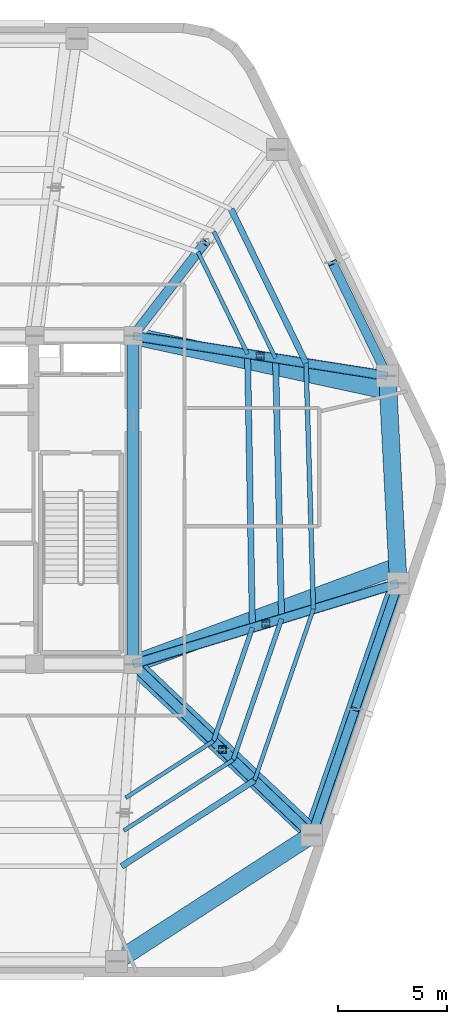
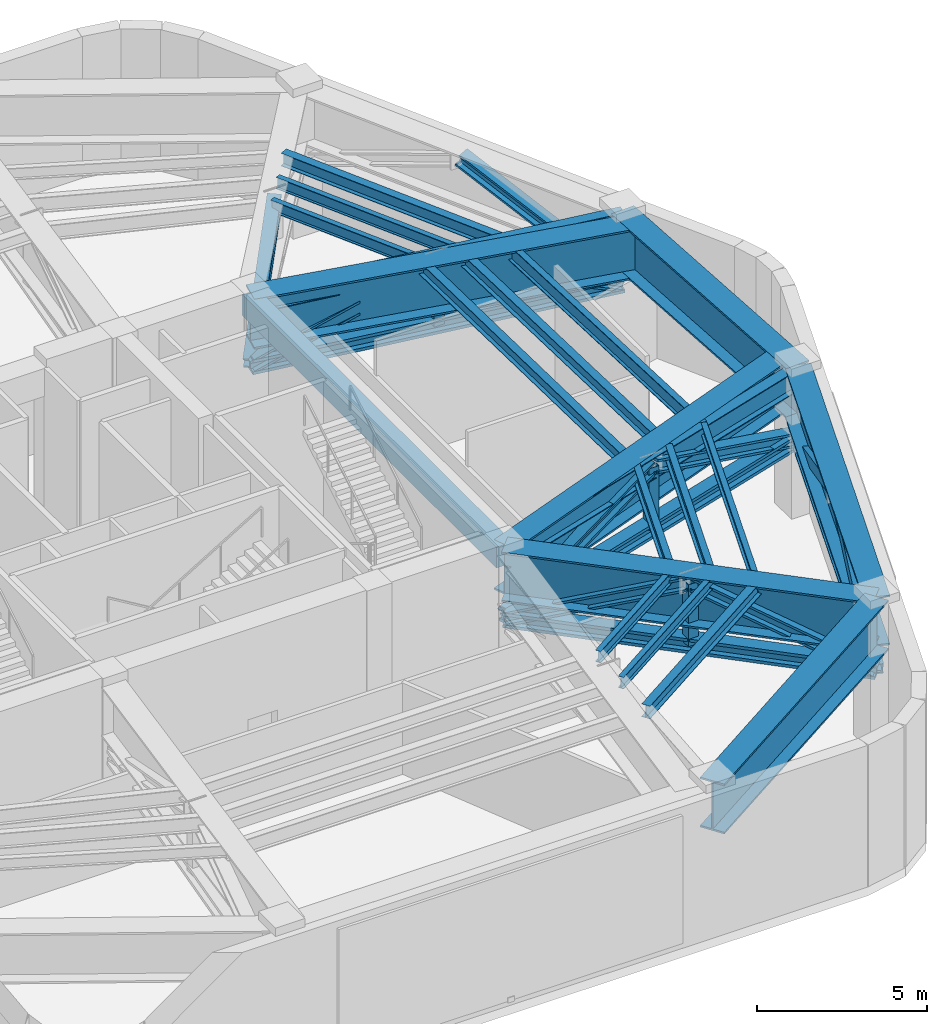
# One storey, part 3 of 10: 21 beams, 17 members.
"""IFC4 building model written with IfcOpenShell, lengths in metres."""

from ifc_helpers import new_model, si_unit, direction, frame, origin, origin_2d, place, context, subcontext, project, spatial, rectangle, hollow_rectangle, i_section, extrude, material, material_profile, profile_set, type_object, element, save


model = new_model("IFC4")

# Units and contexts
model_context = context("Model", 3, precision=1e-05, world=origin(), true_north=direction((0.0, 1.0)))
body_context = subcontext(model_context, "Body", "Model", "MODEL_VIEW")
ifc_project = project(units=[si_unit("LENGTHUNIT", "METRE"), si_unit("AREAUNIT", "SQUARE_METRE"), si_unit("VOLUMEUNIT", "CUBIC_METRE"), si_unit("PLANEANGLEUNIT", "RADIAN"), si_unit("MASSUNIT", "GRAM", prefix="KILO")], contexts=[model_context])

# Site, building, storey
site_placement = place(None, origin())
site = spatial("IfcSite", under=ifc_project, at=site_placement, CompositionType="ELEMENT")
building_placement = place(site_placement, origin())
building = spatial("IfcBuilding", under=site, at=building_placement, Name="Kilnhurst Terrace Hotel", CompositionType="ELEMENT")
storey_placement = place(building_placement, frame((0.0, 0.0, 255.89990234375)))
storey = spatial("IfcBuildingStorey", under=building, at=storey_placement, Name="L64", CompositionType="ELEMENT", Elevation=255.89990234375)

# Beams
ifc_material_1 = material(Name="Concrete C50/60", Category="concrete")
ifc_material_profile_1 = material_profile(ifc_material_1, rectangle(XDim=0.550048828125, YDim=0.75, at=origin_2d()), Name="RC550X750")
ifc_profile_set_1 = profile_set([ifc_material_profile_1], Name="Concrete C50/60")
beam_type_1 = type_object("IfcBeamType", Name="BM-SPN-550X750", PredefinedType="SPANDREL", material=ifc_profile_set_1)
beam_1_placement = place(storey_placement, frame((9.0, -7.5, 4.72509765625), z_axis=(0.0, 1.0, 0.0), x_axis=(-1.0, 0.0, 0.0)))
element("IfcBeam", 1, at=beam_1_placement, inside=storey, type_object=beam_type_1, Name="L64 Core Tie Beam CC-SE to CC-NE", PredefinedType="SPANDREL", context=body_context, shape_type="SweptSolid", body=[
    extrude(rectangle(XDim=0.550048828125, YDim=0.75, at=origin_2d()), origin(), (0.0, 0.0, 1.0), 15.0),
])
ifc_material_2 = material(Name="Steel ASTM A992 Grade 50", Category="steel")
ifc_material_profile_2 = material_profile(ifc_material_2, i_section(OverallWidth=0.354736328125, OverallDepth=0.695556640625, WebThickness=0.015380859375, FlangeThickness=0.025146484375, at=origin_2d()), Name="W27X146")
ifc_profile_set_2 = profile_set([ifc_material_profile_2], Name="Steel ASTM A992 Grade 50")
beam_type_2 = type_object("IfcBeamType", Name="BM-STL-W27X146", PredefinedType="BEAM", material=ifc_profile_set_2)
beam_2_placement = place(storey_placement, frame((9.0, 7.5, 4.752197265625), z_axis=(0.987828160163, -0.155549111179, 0.0), x_axis=(0.155549111179, 0.987828160163, 0.0)))
element("IfcBeam", 2, at=beam_2_placement, inside=storey, type_object=beam_type_2, Name="L64 Radial Floor Beam 5", PredefinedType="BEAM", context=body_context, shape_type="SweptSolid", body=[
    extrude(i_section(OverallWidth=0.354736328125, OverallDepth=0.695556640625, WebThickness=0.015380859375, FlangeThickness=0.025146484375, at=origin_2d()), origin(), (0.0, 0.0, 1.0), 11.765380859375),
])
ifc_material_profile_3 = material_profile(ifc_material_2, i_section(OverallWidth=0.380615234375, OverallDepth=0.773193359375, WebThickness=0.0166015625, FlangeThickness=0.027099609375, at=origin_2d()), Name="W30X173")
ifc_profile_set_3 = profile_set([ifc_material_profile_3], Name="Steel ASTM A992 Grade 50")
beam_type_3 = type_object("IfcBeamType", Name="BM-STL-W30X173", PredefinedType="BEAM", material=ifc_profile_set_3)
beam_3_placement = place(storey_placement, frame((9.0, -7.5, 4.713134765625), z_axis=(0.956562713724, 0.291526627793, 0.0), x_axis=(-0.291526627793, 0.956562713724, 0.0)))
element("IfcBeam", 3, at=beam_3_placement, inside=storey, type_object=beam_type_3, Name="L64 Radial Floor Beam 4", PredefinedType="BEAM", context=body_context, shape_type="SweptSolid", body=[
    extrude(i_section(OverallWidth=0.380615234375, OverallDepth=0.773193359375, WebThickness=0.0166015625, FlangeThickness=0.027099609375, at=origin_2d()), origin(), (0.0, 0.0, 1.0), 12.668212890625),
])
ifc_material_profile_4 = material_profile(ifc_material_2, i_section(OverallWidth=0.180908203125, OverallDepth=0.417236328125, WebThickness=0.010986328125, FlangeThickness=0.018310546875, at=origin_2d()), Name="W16X57")
ifc_profile_set_4 = profile_set([ifc_material_profile_4], Name="Steel ASTM A992 Grade 50")
beam_type_4 = type_object("IfcBeamType", Name="JST-STL-W16X57", PredefinedType="JOIST", material=ifc_profile_set_4)
beam_4_placement = place(storey_placement, frame((14.552978515625, -12.806640625, 4.89111328125), z_axis=(0.325064911916, 0.945691706129, 0.0), x_axis=(-0.945691706129, 0.325064911916, 0.0)))
element("IfcBeam", 4, at=beam_4_placement, inside=storey, type_object=beam_type_4, Name="L64 Secondary Floor Steel Joist OUT.3", PredefinedType="JOIST", context=body_context, shape_type="SweptSolid", body=[
    extrude(i_section(OverallWidth=0.180908203125, OverallDepth=0.417236328125, WebThickness=0.010986328125, FlangeThickness=0.018310546875, at=origin_2d()), origin(), (0.0, 0.0, 1.0), 8.266845703125),
])
beam_5_placement = place(storey_placement, frame((8.65625, -13.611083984375, 4.89111328125), z_axis=(0.839653632344, 0.543122249306, 0.0), x_axis=(-0.543122249306, 0.839653632344, 0.0)))
element("IfcBeam", 5, at=beam_5_placement, inside=storey, type_object=beam_type_4, Name="L64 Secondary Floor Steel Joist IN.2", PredefinedType="JOIST", context=body_context, shape_type="SweptSolid", body=[
    extrude(i_section(OverallWidth=0.180908203125, OverallDepth=0.417236328125, WebThickness=0.010986328125, FlangeThickness=0.018310546875, at=origin_2d()), origin(), (0.0, 0.0, 1.0), 4.785888671875),
])
beam_6_placement = place(storey_placement, frame((14.22998046875, 6.676513671875, 4.89111328125), z_axis=(-0.437718230281, 0.899112201496, 0.0), x_axis=(-0.899112201496, -0.437718230281, 0.0)))
element("IfcBeam", 6, at=beam_6_placement, inside=storey, type_object=beam_type_4, Name="L64 Secondary Floor Steel Joist IN.5", PredefinedType="JOIST", context=body_context, shape_type="SweptSolid", body=[
    extrude(i_section(OverallWidth=0.180908203125, OverallDepth=0.417236328125, WebThickness=0.010986328125, FlangeThickness=0.018310546875, at=origin_2d()), origin(), (0.0, 0.0, 1.0), 5.176513671875),
])
beam_7_placement = place(storey_placement, frame((8.572265625, -15.104736328125, 4.89111328125), z_axis=(0.83965813096, 0.543115294493, 0.0), x_axis=(-0.543115294493, 0.83965813096, 0.0)))
element("IfcBeam", 7, at=beam_7_placement, inside=storey, type_object=beam_type_4, Name="L64 Secondary Floor Steel Joist MID.2", PredefinedType="JOIST", context=body_context, shape_type="SweptSolid", body=[
    extrude(i_section(OverallWidth=0.180908203125, OverallDepth=0.417236328125, WebThickness=0.010986328125, FlangeThickness=0.018310546875, at=origin_2d()), origin(), (0.0, 0.0, 1.0), 5.95556640625),
])
beam_8_placement = place(storey_placement, frame((15.50830078125, 6.47509765625, 4.89111328125), z_axis=(-0.437683535338, 0.89912909134, 0.0), x_axis=(-0.89912909134, -0.437683535338, 0.0)))
element("IfcBeam", 8, at=beam_8_placement, inside=storey, type_object=beam_type_4, Name="L64 Secondary Floor Steel Joist MID.5", PredefinedType="JOIST", context=body_context, shape_type="SweptSolid", body=[
    extrude(i_section(OverallWidth=0.180908203125, OverallDepth=0.417236328125, WebThickness=0.010986328125, FlangeThickness=0.018310546875, at=origin_2d()), origin(), (0.0, 0.0, 1.0), 6.442138671875),
])
ifc_material_profile_5 = material_profile(ifc_material_2, i_section(OverallWidth=0.279296875, OverallDepth=0.462890625, WebThickness=0.0107421875, FlangeThickness=0.017333984375, at=origin_2d()), Name="W18X76")
ifc_profile_set_5 = profile_set([ifc_material_profile_5], Name="Steel ASTM A992 Grade 50")
beam_type_5 = type_object("IfcBeamType", Name="JST-STL-W18X76", PredefinedType="JOIST", material=ifc_profile_set_5)
beam_9_placement = place(storey_placement, frame((8.48046875, -16.734375, 4.8681640625), z_axis=(0.839667054453, 0.543101498494, 0.0), x_axis=(-0.543101498494, 0.839667054453, 0.0)))
element("IfcBeam", 9, at=beam_9_placement, inside=storey, type_object=beam_type_5, Name="L64 Secondary Floor Steel Joist OUT.2", PredefinedType="JOIST", context=body_context, shape_type="SweptSolid", body=[
    extrude(i_section(OverallWidth=0.279296875, OverallDepth=0.462890625, WebThickness=0.0107421875, FlangeThickness=0.017333984375, at=origin_2d()), origin(), (0.0, 0.0, 1.0), 7.23193359375),
])
beam_10_placement = place(storey_placement, frame((16.903076171875, 6.255615234375, 4.8681640625), z_axis=(-0.437700347277, 0.899120907328, 0.0), x_axis=(-0.899120907328, -0.437700347277, 0.0)))
element("IfcBeam", 10, at=beam_10_placement, inside=storey, type_object=beam_type_5, Name="L64 Secondary Floor Steel Joist OUT.5", PredefinedType="JOIST", context=body_context, shape_type="SweptSolid", body=[
    extrude(i_section(OverallWidth=0.279296875, OverallDepth=0.462890625, WebThickness=0.0107421875, FlangeThickness=0.017333984375, at=origin_2d()), origin(), (0.0, 0.0, 1.0), 7.822265625),
])
beam_11_placement = place(storey_placement, frame((14.453125, -5.838134765625, 4.8681640625), z_axis=(-0.017827833387, 0.999841071549, 0.0), x_axis=(-0.999841071549, -0.017827833387, 0.0)))
element("IfcBeam", 11, at=beam_11_placement, inside=storey, type_object=beam_type_5, Name="L64 Secondary Floor Steel Joist IN.4", PredefinedType="JOIST", context=body_context, shape_type="SweptSolid", body=[
    extrude(i_section(OverallWidth=0.279296875, OverallDepth=0.462890625, WebThickness=0.0107421875, FlangeThickness=0.017333984375, at=origin_2d()), origin(), (0.0, 0.0, 1.0), 12.5166015625),
])
beam_12_placement = place(storey_placement, frame((15.7861328125, -5.431884765625, 4.8681640625), z_axis=(-0.023327188947, 0.999727884104, 0.0), x_axis=(-0.999727884104, -0.023327188947, 0.0)))
element("IfcBeam", 12, at=beam_12_placement, inside=storey, type_object=beam_type_5, Name="L64 Secondary Floor Steel Joist MID.4", PredefinedType="JOIST", context=body_context, shape_type="SweptSolid", body=[
    extrude(i_section(OverallWidth=0.279296875, OverallDepth=0.462890625, WebThickness=0.0107421875, FlangeThickness=0.017333984375, at=origin_2d()), origin(), (0.0, 0.0, 1.0), 11.91015625),
])
ifc_material_profile_6 = material_profile(ifc_material_2, i_section(OverallWidth=0.2138671875, OverallDepth=0.549072265625, WebThickness=0.0146484375, FlangeThickness=0.023681640625, at=origin_2d()), Name="W21X93")
ifc_profile_set_6 = profile_set([ifc_material_profile_6], Name="Steel ASTM A992 Grade 50")
beam_type_6 = type_object("IfcBeamType", Name="JST-STL-W21X93", PredefinedType="JOIST", material=ifc_profile_set_6)
beam_13_placement = place(storey_placement, frame((17.240234375, -4.98876953125, 4.8251953125), z_axis=(-0.029971114202, 0.999550765251, 0.0), x_axis=(-0.999550765251, -0.029971114202, 0.0)))
element("IfcBeam", 13, at=beam_13_placement, inside=storey, type_object=beam_type_6, Name="L64 Secondary Floor Steel Joist OUT.4", PredefinedType="JOIST", context=body_context, shape_type="SweptSolid", body=[
    extrude(i_section(OverallWidth=0.2138671875, OverallDepth=0.549072265625, WebThickness=0.0146484375, FlangeThickness=0.023681640625, at=origin_2d()), origin(), (0.0, 0.0, 1.0), 11.24951171875),
])
beam_14_placement = place(storey_placement, frame((12.6748046875, -11.01171875, 4.8251953125), z_axis=(0.325063554612, 0.945692172677, 0.0), x_axis=(-0.945692172677, 0.325063554612, 0.0)))
element("IfcBeam", 14, at=beam_14_placement, inside=storey, type_object=beam_type_6, Name="L64 Secondary Floor Steel Joist IN.3", PredefinedType="JOIST", context=body_context, shape_type="SweptSolid", body=[
    extrude(i_section(OverallWidth=0.2138671875, OverallDepth=0.549072265625, WebThickness=0.0146484375, FlangeThickness=0.023681640625, at=origin_2d()), origin(), (0.0, 0.0, 1.0), 5.470703125),
])
beam_15_placement = place(storey_placement, frame((13.572998046875, -11.8701171875, 4.8251953125), z_axis=(0.325078766286, 0.945686943819, 0.0), x_axis=(-0.945686943819, 0.325078766286, 0.0)))
element("IfcBeam", 15, at=beam_15_placement, inside=storey, type_object=beam_type_6, Name="L64 Secondary Floor Steel Joist MID.3", PredefinedType="JOIST", context=body_context, shape_type="SweptSolid", body=[
    extrude(i_section(OverallWidth=0.2138671875, OverallDepth=0.549072265625, WebThickness=0.0146484375, FlangeThickness=0.023681640625, at=origin_2d()), origin(), (0.0, 0.0, 1.0), 6.80810546875),
])

# Members
ifc_material_profile_7 = material_profile(ifc_material_2, i_section(OverallWidth=0.41845703125, OverallDepth=0.455078125, WebThickness=0.0419921875, FlangeThickness=0.067626953125, at=origin_2d()), Name="W14X370")
ifc_profile_set_7 = profile_set([ifc_material_profile_7], Name="Steel ASTM A992 Grade 50")
member_type_1 = type_object("IfcMemberType", Name="MEM-BLT-DIAG-370", PredefinedType="BRACE", material=ifc_profile_set_7)
member_1_placement = place(storey_placement, frame((20.6220703125, 5.669921875, 2.52001953125), z_axis=(-0.408061436745, 0.838326798418, 0.361516310691), x_axis=(-0.899139384857, -0.437662388833, 0.0)))
element("IfcMember", 16, at=member_1_placement, inside=storey, type_object=member_type_1, Name="L64 Belt Truss Left Diagonal 3", PredefinedType="BRACE", context=body_context, shape_type="SweptSolid", body=[
    extrude(i_section(OverallWidth=0.41845703125, OverallDepth=0.455078125, WebThickness=0.0419921875, FlangeThickness=0.067626953125, at=origin_2d()), origin(), (0.0, 0.0, 1.0), 6.16845703125),
])
ifc_material_3 = material(Name="Steel ASTM A500 Grade C", Category="steel")
ifc_material_profile_8 = material_profile(ifc_material_3, hollow_rectangle(XDim=0.39990234375, YDim=0.39990234375, WallThickness=0.01611328125, at=origin_2d()), Name="HSS400X400X16")
ifc_profile_set_8 = profile_set([ifc_material_profile_8], Name="Steel ASTM A500 Grade C")
member_type_2 = type_object("IfcMemberType", Name="MEM-BLT-HSS-400", PredefinedType="BRACE", material=ifc_profile_set_8)
member_2_placement = place(storey_placement, frame((17.166015625, -15.303955078125, 2.52001953125), z_axis=(0.305213964138, 0.887812894942, 0.344430979545), x_axis=(-0.945677337851, 0.325106709674, 0.0)))
element("IfcMember", 17, at=member_2_placement, inside=storey, type_object=member_type_2, Name="L64 Belt Truss Left Diagonal 2", PredefinedType="BRACE", context=body_context, shape_type="SweptSolid", body=[
    extrude(hollow_rectangle(XDim=0.39990234375, YDim=0.39990234375, WallThickness=0.01611328125, at=origin_2d()), origin(), (0.0, 0.0, 1.0), 6.474365234375),
])
member_3_placement = place(storey_placement, frame((21.117919921875, -3.806884765625, 2.52001953125), z_axis=(-0.305138903919, -0.887855048744, 0.344388823477), x_axis=(0.945706660369, -0.325021403192, 0.0)))
element("IfcMember", 18, at=member_3_placement, inside=storey, type_object=member_type_2, Name="L64 Belt Truss Right Diagonal 2", PredefinedType="BRACE", context=body_context, shape_type="SweptSolid", body=[
    extrude(hollow_rectangle(XDim=0.39990234375, YDim=0.39990234375, WallThickness=0.01611328125, at=origin_2d()), origin(), (0.0, 0.0, 1.0), 6.47509765625),
])
ifc_material_profile_9 = material_profile(ifc_material_2, i_section(OverallWidth=0.40625, OverallDepth=0.416015625, WebThickness=0.02978515625, FlangeThickness=0.048095703125, at=origin_2d()), Name="W14X257")
ifc_profile_set_9 = profile_set([ifc_material_profile_9], Name="Steel ASTM A992 Grade 50")
member_type_3 = type_object("IfcMemberType", Name="MEM-CHD-W14X257", PredefinedType="CHORD", material=ifc_profile_set_9)
member_4_placement = place(storey_placement, frame((17.166015625, -15.303955078125, 2.52001953125), z_axis=(0.325064053802, 0.94569200109, 0.0), x_axis=(-0.94569200109, 0.325064053802, 0.0)))
element("IfcMember", 19, at=member_4_placement, inside=storey, type_object=member_type_3, Name="L64 Belt Truss Bottom Chord 2", PredefinedType="CHORD", context=body_context, shape_type="SweptSolid", body=[
    extrude(i_section(OverallWidth=0.40625, OverallDepth=0.416015625, WebThickness=0.02978515625, FlangeThickness=0.048095703125, at=origin_2d()), origin(), (0.0, 0.0, 1.0), 12.1572265625),
])
ifc_material_profile_10 = material_profile(ifc_material_2, i_section(OverallWidth=0.44189453125, OverallDepth=0.531494140625, WebThickness=0.06591796875, FlangeThickness=0.105712890625, at=origin_2d()), Name="W14X605")
ifc_profile_set_10 = profile_set([ifc_material_profile_10], Name="Steel ASTM A992 Grade 50")
member_type_4 = type_object("IfcMemberType", Name="MEM-CHD-W14X605", PredefinedType="CHORD", material=ifc_profile_set_10)
member_5_placement = place(storey_placement, frame((9.0, -7.5, 2.52001953125), z_axis=(0.722952064528, -0.690898192497, 0.0), x_axis=(0.690898192497, 0.722952064528, 0.0)))
element("IfcMember", 20, at=member_5_placement, inside=storey, type_object=member_type_4, Name="L64 Outrigger Bottom Chord 3", PredefinedType="CHORD", context=body_context, shape_type="SweptSolid", body=[
    extrude(i_section(OverallWidth=0.44189453125, OverallDepth=0.531494140625, WebThickness=0.06591796875, FlangeThickness=0.105712890625, at=origin_2d()), origin(), (0.0, 0.0, 1.0), 11.29541015625),
])
member_6_placement = place(storey_placement, frame((9.0, -7.5, 2.52001953125), z_axis=(0.956562713724, 0.291526627793, 0.0), x_axis=(-0.291526627793, 0.956562713724, 0.0)))
element("IfcMember", 21, at=member_6_placement, inside=storey, type_object=member_type_4, Name="L64 Outrigger Bottom Chord 4", PredefinedType="CHORD", context=body_context, shape_type="SweptSolid", body=[
    extrude(i_section(OverallWidth=0.44189453125, OverallDepth=0.531494140625, WebThickness=0.06591796875, FlangeThickness=0.105712890625, at=origin_2d()), origin(), (0.0, 0.0, 1.0), 12.668212890625),
])
member_7_placement = place(storey_placement, frame((9.0, 7.5, 2.52001953125), z_axis=(0.987828160163, -0.155549111179, 0.0), x_axis=(0.155549111179, 0.987828160163, 0.0)))
element("IfcMember", 22, at=member_7_placement, inside=storey, type_object=member_type_4, Name="L64 Outrigger Bottom Chord 5", PredefinedType="CHORD", context=body_context, shape_type="SweptSolid", body=[
    extrude(i_section(OverallWidth=0.44189453125, OverallDepth=0.531494140625, WebThickness=0.06591796875, FlangeThickness=0.105712890625, at=origin_2d()), origin(), (0.0, 0.0, 1.0), 11.765380859375),
])
ifc_material_profile_11 = material_profile(ifc_material_2, i_section(OverallWidth=0.424072265625, OverallDepth=0.47412109375, WebThickness=0.047607421875, FlangeThickness=0.0771484375, at=origin_2d()), Name="W14X426")
ifc_profile_set_11 = profile_set([ifc_material_profile_11], Name="Steel ASTM A992 Grade 50")
member_type_5 = type_object("IfcMemberType", Name="MEM-OTR-DIAG-426", PredefinedType="BRACE", material=ifc_profile_set_11)
for number, where, z_axis, x_axis, name in (
    (23, (9.0, -7.5, 2.52001953125), (0.672423334652, -0.642629882668, 0.367251539028), (0.690909489119, 0.7229412686, 0.0), "L64 Outrigger Inner Diagonal 3"),
    (24, (13.0830078125, -11.402099609375, 4.75), (0.672440709041, -0.642606279114, -0.367261028246), (0.690886895368, 0.722962860601, 0.0), "L64 Outrigger Outer Diagonal 3"),
):
    element("IfcMember", number, at=place(storey_placement, frame(where, z_axis=z_axis, x_axis=x_axis)), inside=storey, type_object=member_type_5, Name=name, PredefinedType="BRACE", context=body_context, shape_type="SweptSolid", body=[
        extrude(i_section(OverallWidth=0.424072265625, OverallDepth=0.47412109375, WebThickness=0.047607421875, FlangeThickness=0.0771484375, at=origin_2d()), origin(), (0.0, 0.0, 1.0), 6.072021484375),
    ])
member_8_placement = place(storey_placement, frame((9.0, -7.5, 2.52001953125), z_axis=(0.902304630305, 0.274894242475, 0.332083588251), x_axis=(-0.291433080955, 0.956591218507, 0.0)))
element("IfcMember", 25, at=member_8_placement, inside=storey, type_object=member_type_5, Name="L64 Outrigger Inner Diagonal 4", PredefinedType="BRACE", context=body_context, shape_type="SweptSolid", body=[
    extrude(i_section(OverallWidth=0.424072265625, OverallDepth=0.47412109375, WebThickness=0.047607421875, FlangeThickness=0.0771484375, at=origin_2d()), origin(), (0.0, 0.0, 1.0), 6.715087890625),
])
member_9_placement = place(storey_placement, frame((15.05908203125, -5.654052734375, 4.75), z_axis=(0.902252769552, 0.275071300094, -0.33207788198), x_axis=(-0.291620170037, 0.956534200344, 0.0)))
element("IfcMember", 26, at=member_9_placement, inside=storey, type_object=member_type_5, Name="L64 Outrigger Outer Diagonal 4", PredefinedType="BRACE", context=body_context, shape_type="SweptSolid", body=[
    extrude(i_section(OverallWidth=0.424072265625, OverallDepth=0.47412109375, WebThickness=0.047607421875, FlangeThickness=0.0771484375, at=origin_2d()), origin(), (0.0, 0.0, 1.0), 6.71533203125),
])
for number, where, z_axis, x_axis, name in (
    (27, (9.0, 7.5, 2.52001953125), (0.923687932263, -0.145449221499, 0.354464564881), (0.155549111179, 0.987828160163, 0.0), "L64 Outrigger Inner Diagonal 5"),
    (28, (14.81103515625, 6.5849609375, 4.75), (0.923687932263, -0.145449221499, -0.354464564881), (0.155549111179, 0.987828160163, 0.0), "L64 Outrigger Outer Diagonal 5"),
):
    element("IfcMember", number, at=place(storey_placement, frame(where, z_axis=z_axis, x_axis=x_axis)), inside=storey, type_object=member_type_5, Name=name, PredefinedType="BRACE", context=body_context, shape_type="SweptSolid", body=[
        extrude(i_section(OverallWidth=0.424072265625, OverallDepth=0.47412109375, WebThickness=0.047607421875, FlangeThickness=0.0771484375, at=origin_2d()), origin(), (0.0, 0.0, 1.0), 6.291015625),
    ])
member_10_placement = place(storey_placement, frame((9.0, 7.5, 2.52001953125), z_axis=(0.565245212638, 0.730737008657, 0.382780973624), x_axis=(-0.790978634718, 0.611843770435, 0.0)))
element("IfcMember", 29, at=member_10_placement, inside=storey, type_object=member_type_5, Name="L64 Outrigger Inner Diagonal 6", PredefinedType="BRACE", context=body_context, shape_type="SweptSolid", body=[
    extrude(i_section(OverallWidth=0.424072265625, OverallDepth=0.47412109375, WebThickness=0.047607421875, FlangeThickness=0.0771484375, at=origin_2d()), origin(), (0.0, 0.0, 1.0), 5.82568359375),
])
ifc_material_profile_12 = material_profile(ifc_material_3, hollow_rectangle(XDim=0.35009765625, YDim=0.35009765625, WallThickness=0.01611328125, at=origin_2d()), Name="HSS350X350X16")
ifc_profile_set_12 = profile_set([ifc_material_profile_12], Name="Steel ASTM A500 Grade C")
member_type_6 = type_object("IfcMemberType", Name="MEM-STR-HSS350", PredefinedType="STRUT", material=ifc_profile_set_12)
for number, where, z_axis, x_axis, name in (
    (30, (13.0830078125, -11.402099609375, 2.52001953125), (0.0, 0.0, 1.0), (1.0, 0.0, 0.0), "L64 Outrigger Web Post 3"),
    (31, (15.05908203125, -5.654052734375, 2.52001953125), (0.0, 0.0, 1.0), (1.0, 0.0, 0.0), "L64 Outrigger Web Post 4"),
    (32, (14.81103515625, 6.5849609375, 2.52001953125), (0.0, 0.0, 1.0), (1.0, 0.0, 0.0), "L64 Outrigger Web Post 5"),
):
    element("IfcMember", number, at=place(storey_placement, frame(where, z_axis=z_axis, x_axis=x_axis)), inside=storey, type_object=member_type_6, Name=name, PredefinedType="STRUT", context=body_context, shape_type="SweptSolid", body=[
        extrude(hollow_rectangle(XDim=0.35009765625, YDim=0.35009765625, WallThickness=0.01611328125, at=origin_2d()), origin(), (0.0, 0.0, 1.0), 2.22998046875),
    ])

# Beams
ifc_material_4 = material(Name="Steel ASTM A572 Grade 50", Category="steel")
ifc_material_profile_13 = material_profile(ifc_material_4, i_section(OverallWidth=0.800048828125, OverallDepth=1.800048828125, WebThickness=0.0400390625, FlangeThickness=0.06494140625, at=origin_2d()), Name="PG1800X800")
ifc_profile_set_13 = profile_set([ifc_material_profile_13], Name="Steel ASTM A572 Grade 50")
beam_type_7 = type_object("IfcBeamType", Name="TG-STEP-1800", PredefinedType="USERDEFINED", material=ifc_profile_set_13)
beam_16_placement = place(storey_placement, frame((8.236083984375, -21.080078125, 4.2001953125), z_axis=(0.839658834217, 0.543114207254, 0.0), x_axis=(-0.543114207254, 0.839658834217, 0.0)))
element("IfcBeam", 33, at=beam_16_placement, inside=storey, type_object=beam_type_7, Name="L64 Zone Step Perimeter Transfer Girder 2", ObjectType="GIRDER", PredefinedType="USERDEFINED", context=body_context, shape_type="SweptSolid", body=[
    extrude(i_section(OverallWidth=0.800048828125, OverallDepth=1.800048828125, WebThickness=0.0400390625, FlangeThickness=0.06494140625, at=origin_2d()), origin(), (0.0, 0.0, 1.0), 10.63525390625),
])
beam_17_placement = place(storey_placement, frame((17.166015625, -15.303955078125, 4.2001953125), z_axis=(0.325064053802, 0.94569200109, 0.0), x_axis=(-0.94569200109, 0.325064053802, 0.0)))
element("IfcBeam", 34, at=beam_17_placement, inside=storey, type_object=beam_type_7, Name="L64 Zone Step Perimeter Transfer Girder 3", ObjectType="GIRDER", PredefinedType="USERDEFINED", context=body_context, shape_type="SweptSolid", body=[
    extrude(i_section(OverallWidth=0.800048828125, OverallDepth=1.800048828125, WebThickness=0.0400390625, FlangeThickness=0.06494140625, at=origin_2d()), origin(), (0.0, 0.0, 1.0), 12.1572265625),
])
beam_18_placement = place(storey_placement, frame((21.117919921875, -3.806884765625, 4.2001953125), z_axis=(-0.052250962837, 0.998633985443, 0.0), x_axis=(-0.998633985443, -0.052250962837, 0.0)))
element("IfcBeam", 35, at=beam_18_placement, inside=storey, type_object=beam_type_7, Name="L64 Zone Step Perimeter Transfer Girder 4", ObjectType="GIRDER", PredefinedType="USERDEFINED", context=body_context, shape_type="SweptSolid", body=[
    extrude(i_section(OverallWidth=0.800048828125, OverallDepth=1.800048828125, WebThickness=0.0400390625, FlangeThickness=0.06494140625, at=origin_2d()), origin(), (0.0, 0.0, 1.0), 9.48974609375),
])
beam_19_placement = place(storey_placement, frame((9.0, -7.5, 4.2001953125), z_axis=(0.726249175078, -0.687431549828, 0.0), x_axis=(0.687431549828, 0.726249175078, 0.0)))
element("IfcBeam", 36, at=beam_19_placement, inside=storey, type_object=beam_type_7, Name="L64 Zone Step Radial Transfer Girder 3", ObjectType="GIRDER", PredefinedType="USERDEFINED", context=body_context, shape_type="SweptSolid", body=[
    extrude(i_section(OverallWidth=0.800048828125, OverallDepth=1.800048828125, WebThickness=0.0400390625, FlangeThickness=0.06494140625, at=origin_2d()), origin(), (0.0, 0.0, 1.0), 11.270751953125),
])
beam_20_placement = place(storey_placement, frame((9.0, -7.5, 4.2001953125), z_axis=(0.938003076347, 0.346626930234, 0.0), x_axis=(-0.346626930234, 0.938003076347, 0.0)))
element("IfcBeam", 37, at=beam_20_placement, inside=storey, type_object=beam_type_7, Name="L64 Zone Step Radial Transfer Girder 4", ObjectType="GIRDER", PredefinedType="USERDEFINED", context=body_context, shape_type="SweptSolid", body=[
    extrude(i_section(OverallWidth=0.800048828125, OverallDepth=1.800048828125, WebThickness=0.0400390625, FlangeThickness=0.06494140625, at=origin_2d()), origin(), (0.0, 0.0, 1.0), 12.8759765625),
])
beam_21_placement = place(storey_placement, frame((9.0, 7.5, 4.2001953125), z_axis=(0.977442724754, -0.211200662465, 0.0), x_axis=(0.211200662465, 0.977442724754, 0.0)))
element("IfcBeam", 38, at=beam_21_placement, inside=storey, type_object=beam_type_7, Name="L64 Zone Step Radial Transfer Girder 5", ObjectType="GIRDER", PredefinedType="USERDEFINED", context=body_context, shape_type="SweptSolid", body=[
    extrude(i_section(OverallWidth=0.800048828125, OverallDepth=1.800048828125, WebThickness=0.0400390625, FlangeThickness=0.06494140625, at=origin_2d()), origin(), (0.0, 0.0, 1.0), 11.92724609375),
])

save(model, "model.ifc")
